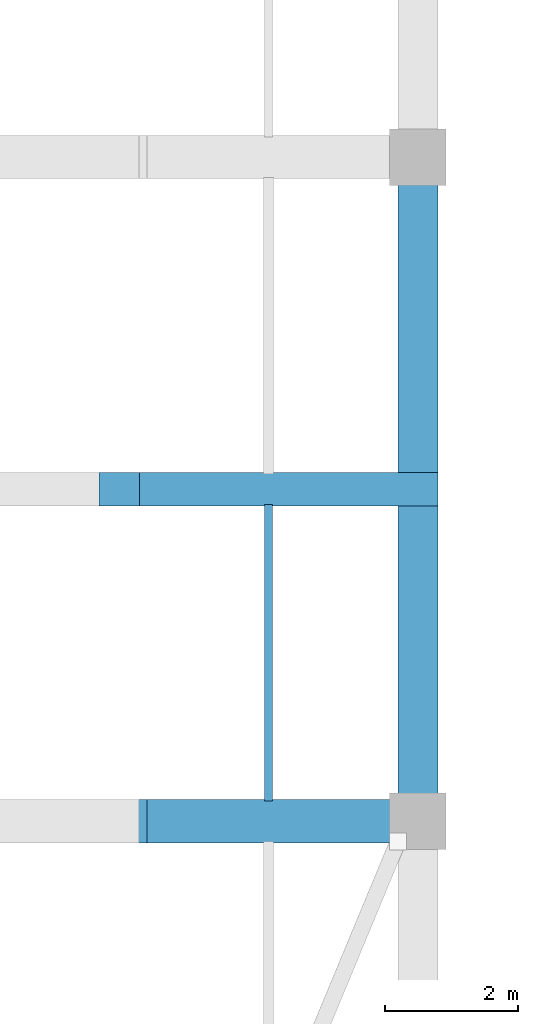
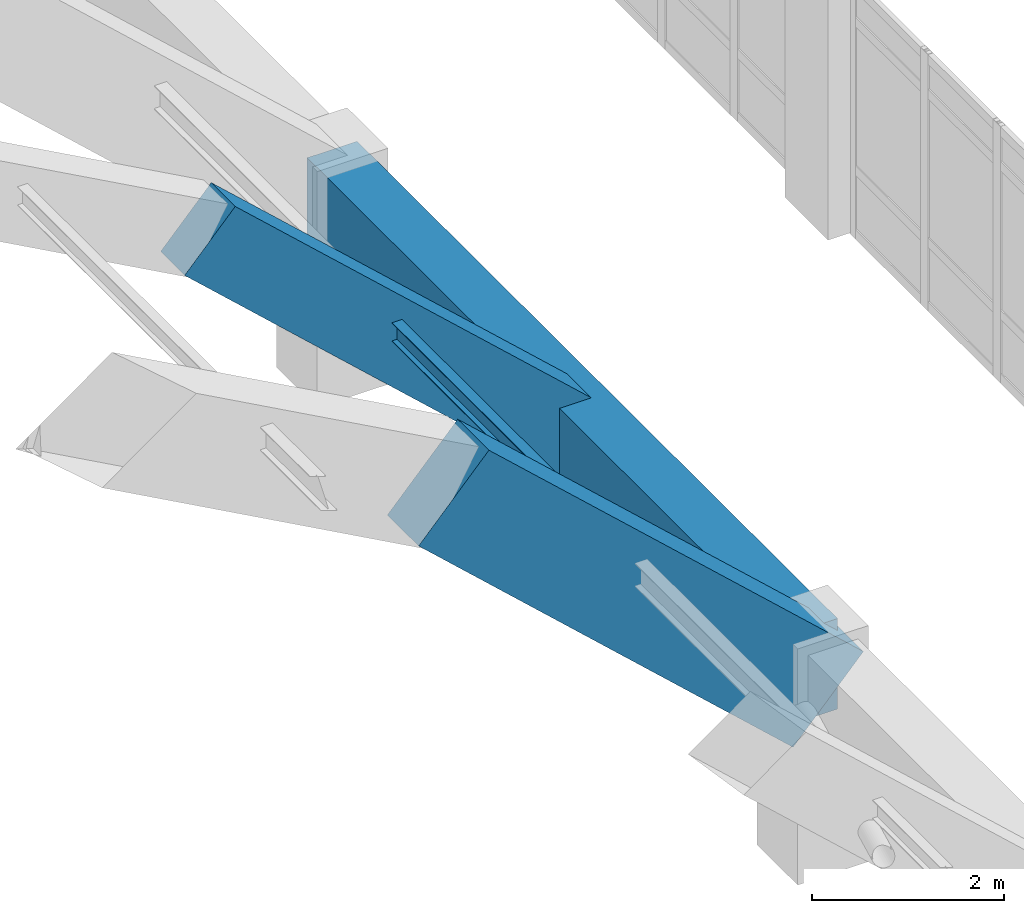
# One storey, part 71 of 111: 3 beams, 1 member.
"""IFC4 building model written with IfcOpenShell, lengths in metres."""

from ifc_helpers import new_model, si_unit, direction, frame, origin, origin_2d, place, context, subcontext, project, spatial, rectangle, i_section, extrude, material, material_profile, profile_set, type_object, element, save


model = new_model("IFC4")

# Units and contexts
model_context = context("Model", 3, precision=1e-05, world=origin(), true_north=direction((0.0, 1.0)))
body_context = subcontext(model_context, "Body", "Model", "MODEL_VIEW")
ifc_project = project(units=[si_unit("LENGTHUNIT", "METRE"), si_unit("AREAUNIT", "SQUARE_METRE"), si_unit("VOLUMEUNIT", "CUBIC_METRE"), si_unit("PLANEANGLEUNIT", "RADIAN"), si_unit("MASSUNIT", "GRAM", prefix="KILO")], contexts=[model_context])

# Site, building, storey
site_placement = place(None, origin())
site = spatial("IfcSite", under=ifc_project, at=site_placement, CompositionType="ELEMENT")
building_placement = place(site_placement, origin())
building = spatial("IfcBuilding", under=site, at=building_placement, Name="Mersad Railyard Sports Hall", CompositionType="ELEMENT")
storey_placement = place(building_placement, frame((0.0, 0.0, 9.0)))
storey = spatial("IfcBuildingStorey", under=building, at=storey_placement, Name="L02", CompositionType="ELEMENT", Elevation=9.0)

# Beams
ifc_material_1 = material(Name="Concrete C50/60", Category="concrete")
ifc_material_profile_1 = material_profile(ifc_material_1, rectangle(XDim=0.60009765625, YDim=1.14990234375, at=origin_2d()), Name="RC 600x1150")
ifc_profile_set_1 = profile_set([ifc_material_profile_1], Name="Concrete C50/60")
beam_type_1 = type_object("IfcBeamType", Name="STR-BM-B05", PredefinedType="BEAM", material=ifc_profile_set_1)
beam_1_placement = place(storey_placement, frame((173.0, 13.5, 2.300048828125), z_axis=(0.0, 1.0, 0.0), x_axis=(-1.0, 0.0, 0.0)))
element("IfcBeam", 1, at=beam_1_placement, inside=storey, type_object=beam_type_1, Name="Beam B05-0708", PredefinedType="BEAM", context=body_context, shape_type="SweptSolid", body=[
    extrude(rectangle(XDim=0.60009765625, YDim=1.14990234375, at=origin_2d()), origin(), (0.0, 0.0, 1.0), 10.0),
])
ifc_material_2 = material(Name="Architectural concrete C50/60", Category="concrete")
ifc_material_profile_2 = material_profile(ifc_material_2, rectangle(XDim=0.64990234375, YDim=1.25, at=origin_2d()), Name="VR 650x1250")
ifc_profile_set_2 = profile_set([ifc_material_profile_2], Name="Architectural concrete C50/60")
beam_type_2 = type_object("IfcBeamType", Name="STR-BM-VR01", PredefinedType="BEAM", material=ifc_profile_set_2)
beam_2_placement = place(storey_placement, frame((168.5, 13.5, 6.2822265625), z_axis=(0.736556702909, 0.0, -0.676375800425), x_axis=(0.0, 1.0, 0.0)))
element("IfcBeam", 2, at=beam_2_placement, inside=storey, type_object=beam_type_2, Name="Beam VR01-0744", PredefinedType="BEAM", context=body_context, shape_type="SweptSolid", body=[
    extrude(rectangle(XDim=0.64990234375, YDim=1.25, at=origin_2d()), origin(), (0.0, 0.0, 1.0), 6.109619140625),
])
ifc_material_profile_3 = material_profile(ifc_material_2, rectangle(XDim=0.5, YDim=0.89990234375, at=origin_2d()), Name="VR 500x900")
ifc_profile_set_3 = profile_set([ifc_material_profile_3], Name="Architectural concrete C50/60")
beam_type_3 = type_object("IfcBeamType", Name="STR-BM-VR02", PredefinedType="BEAM", material=ifc_profile_set_3)
beam_3_placement = place(storey_placement, frame((168.5, 18.5, 6.47216796875), z_axis=(0.736576611143, 0.0, -0.676354120204), x_axis=(0.0, 1.0, 0.0)))
element("IfcBeam", 3, at=beam_3_placement, inside=storey, type_object=beam_type_3, Name="Beam VR02-0752", PredefinedType="BEAM", context=body_context, shape_type="SweptSolid", body=[
    extrude(rectangle(XDim=0.5, YDim=0.89990234375, at=origin_2d()), origin(), (0.0, 0.0, 1.0), 6.109375),
])

# Member
ifc_material_3 = material(Name="Steel S355", Category="steel")
ifc_material_profile_4 = material_profile(ifc_material_3, i_section(OverallWidth=0.1201171875, OverallDepth=0.239990234375, WebThickness=0.006103515625, FlangeThickness=0.009765625, at=origin_2d()), Name="IPE 240")
ifc_profile_set_4 = profile_set([ifc_material_profile_4], Name="Steel S355")
member_type = type_object("IfcMemberType", Name="STR-MEM-PU01", PredefinedType="PURLIN", material=ifc_profile_set_4)
member_placement = place(storey_placement, frame((170.75, 13.804931640625, 4.546142578125), z_axis=(0.0, 1.0, 0.0), x_axis=(-1.0, 0.0, 0.0)))
element("IfcMember", 4, at=member_placement, inside=storey, type_object=member_type, Name="Structural member PU01-0128", PredefinedType="PURLIN", context=body_context, shape_type="SweptSolid", body=[
    extrude(i_section(OverallWidth=0.1201171875, OverallDepth=0.239990234375, WebThickness=0.006103515625, FlangeThickness=0.009765625, at=origin_2d()), origin(), (0.0, 0.0, 1.0), 4.465087890625),
])

save(model, "model.ifc")
